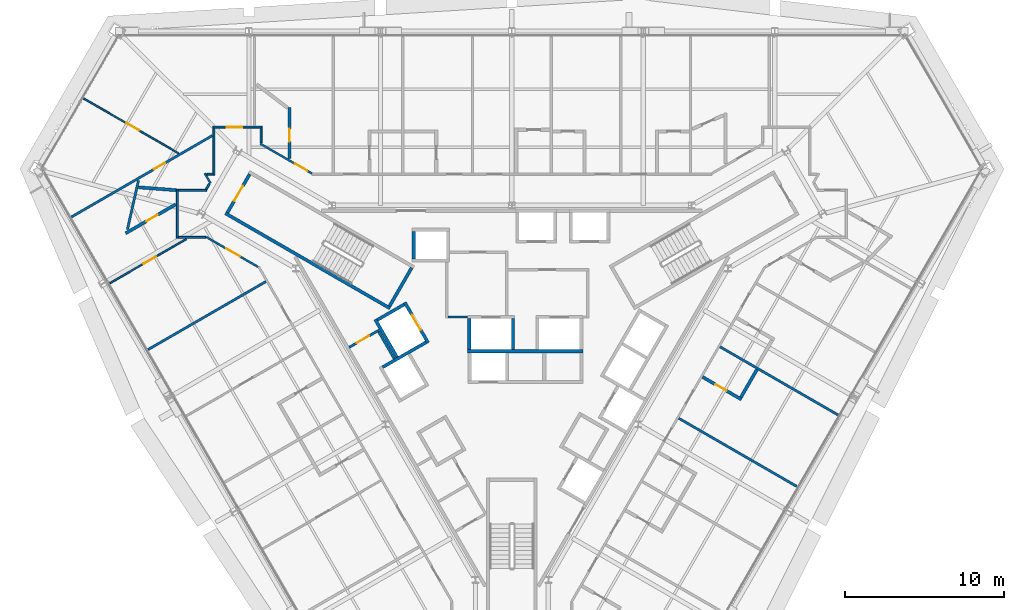
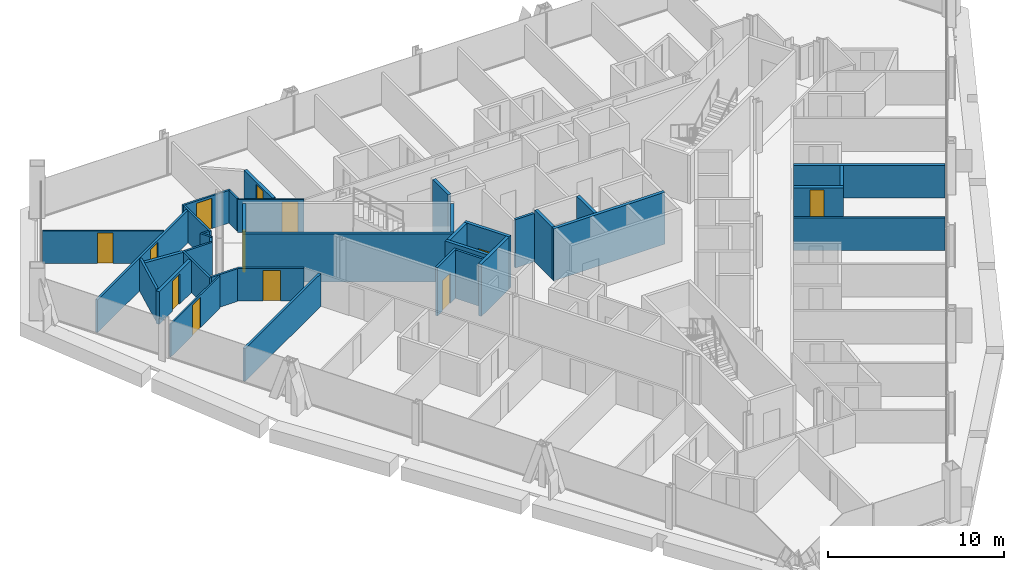
# One storey, part 12 of 17: 37 walls, 12 doors, 12 openings.
"""IFC4 building model written with IfcOpenShell, lengths in metres."""

from ifc_helpers import new_model, si_unit, direction, frame, frame_2d, origin, place, context, subcontext, project, spatial, rectangle, extrude, material, layer, layer_set, type_object, element, fill, save


model = new_model("IFC4")

# Units and contexts
model_context = context("Model", 3, precision=1e-05, world=origin(), true_north=direction((0.0, 1.0)))
body_context = subcontext(model_context, "Body", "Model", "MODEL_VIEW")
ifc_project = project(units=[si_unit("LENGTHUNIT", "METRE"), si_unit("AREAUNIT", "SQUARE_METRE"), si_unit("VOLUMEUNIT", "CUBIC_METRE"), si_unit("PLANEANGLEUNIT", "RADIAN"), si_unit("MASSUNIT", "GRAM", prefix="KILO")], contexts=[model_context])

# Site, building, storey
site_placement = place(None, origin())
site = spatial("IfcSite", under=ifc_project, at=site_placement, CompositionType="ELEMENT")
building_placement = place(site_placement, origin())
building = spatial("IfcBuilding", under=site, at=building_placement, Name="Verrane Prism Tower", CompositionType="ELEMENT")
storey_placement = place(building_placement, frame((0.0, 0.0, 139.60009765625)))
storey = spatial("IfcBuildingStorey", under=building, at=storey_placement, Name="L34", CompositionType="ELEMENT", Elevation=139.60009765625)

# Wall, opening, door
ifc_material_1 = material(Name="Concrete C40/50", Category="concrete")
ifc_layer_1 = layer(ifc_material_1, 0.199951171875)
ifc_layer_set_1 = layer_set([ifc_layer_1], Name="CW-200 stair core wall concrete C40/50 3 h")
wall_type_1 = type_object("IfcWallType", Name="CW-200 stair core wall concrete C40/50 3 h", PredefinedType="PARTITIONING", material=ifc_layer_set_1)
wall_1_placement = place(storey_placement, frame((-16.533935546875, 11.162353515625, 0.0), z_axis=(0.0, 0.0, 1.0), x_axis=(-0.49998411664, -0.866034573852, 0.0)))
wall_1 = element("IfcWall", 1, at=wall_1_placement, inside=storey, type_object=wall_type_1, Name="Stair 2 enclosure wall", PredefinedType="PARTITIONING", context=body_context, shape_type="SweptSolid", body=[
    extrude(rectangle(XDim=2.7998046875, YDim=0.199951171875, at=frame_2d((1.39990234375, 0.0))), origin(), (0.0, 0.0, 1.0), 3.349853515625),
])
opening_1_placement = place(wall_1_placement, frame((0.849853515625, 0.0, 0.0)))
opening_1 = element("IfcOpeningElement", 2, at=opening_1_placement, cuts=wall_1, Name="Opening D32501", PredefinedType="OPENING", context=body_context, shape_type="SweptSolid", body=[
    extrude(rectangle(XDim=1.10009765625, YDim=2.10009765625, at=frame_2d((0.550048828125, 1.050048828125))), frame((0.0, 0.10986328125, 0.0), z_axis=(0.0, -1.0, 0.0), x_axis=(1.0, 0.0, 0.0)), (0.0, 0.0, 1.0), 0.219970703125),
])
ifc_material_2 = material(Name="Timber veneered door leaf", Category="wood")
door_type_1 = type_object("IfcDoorType", Name="DR-1100x2100 FD90 single leaf stair", OperationType="NOTDEFINED", PredefinedType="DOOR", material=ifc_material_2)
door_1_placement = place(opening_1_placement, origin())
door_1 = element("IfcDoor", 3, at=door_1_placement, inside=storey, type_object=door_type_1, Name="Stair 2 door", OperationType="SINGLE_SWING_RIGHT", OverallHeight=2.10009765625, OverallWidth=1.10009765625, PredefinedType="DOOR", context=body_context, shape_type="SweptSolid", body=[
    extrude(rectangle(XDim=1.10009765625, YDim=2.10009765625, at=frame_2d((0.550048828125, 1.050048828125))), frame((0.0, 0.02490234375, 0.0), z_axis=(0.0, -1.0, 0.0), x_axis=(1.0, 0.0, 0.0)), (0.0, 0.0, 1.0), 0.050048828125),
])
fill(opening_1, door_1)

# Walls
wall_2_placement = place(storey_placement, frame((-7.67822265625, 2.700927734375, 0.0), z_axis=(0.0, 0.0, 1.0), x_axis=(-0.866026010844, 0.49999894854, 0.0)))
element("IfcWall", 4, at=wall_2_placement, inside=storey, type_object=wall_type_1, Name="Stair 2 enclosure wall", PredefinedType="PARTITIONING", context=body_context, shape_type="SweptSolid", body=[
    extrude(rectangle(XDim=12.0, YDim=0.199951171875, at=frame_2d((6.0, 0.0))), origin(), (0.0, 0.0, 1.0), 3.349853515625),
])
wall_3_placement = place(storey_placement, frame((-6.314697265625, 5.262451171875, 0.0), z_axis=(0.0, 0.0, 1.0), x_axis=(-0.500049511043, -0.865996816683, 0.0)))
element("IfcWall", 5, at=wall_3_placement, inside=storey, type_object=wall_type_1, Name="Stair 2 enclosure wall", PredefinedType="PARTITIONING", context=body_context, shape_type="SweptSolid", body=[
    extrude(rectangle(XDim=2.800048828125, YDim=0.199951171875, at=frame_2d((1.39990234375, 0.0))), origin(), (0.0, 0.0, 1.0), 3.349853515625),
])
ifc_material_3 = material(Name="Gypsum board shaft wall assembly", Category="other")
ifc_layer_2 = layer(ifc_material_3, 0.199951171875)
ifc_layer_set_2 = layer_set([ifc_layer_2], Name="HW-200 lift shaft wall 2 h")
wall_type_2 = type_object("IfcWallType", Name="HW-200 lift shaft wall 2 h", PredefinedType="PARTITIONING", material=ifc_layer_set_2)
wall_4_placement = place(storey_placement, frame((-2.784912109375, 0.0, 0.0), z_axis=(0.0, 0.0, 1.0), x_axis=(1.0, 0.0, 0.0)))
element("IfcWall", 6, at=wall_4_placement, inside=storey, type_object=wall_type_2, Name="Lift shaft wall", PredefinedType="PARTITIONING", context=body_context, shape_type="SweptSolid", body=[
    extrude(rectangle(XDim=7.280029296875, YDim=0.199951171875, at=frame_2d((3.64013671875, 0.0))), origin(), (0.0, 0.0, 1.0), 3.599853515625),
])
wall_5_placement = place(storey_placement, frame((-8.14453125, -1.012939453125, 0.0), z_axis=(0.0, 0.0, 1.0), x_axis=(0.866016494683, 0.500015430699, 0.0)))
element("IfcWall", 7, at=wall_5_placement, inside=storey, type_object=wall_type_2, Name="Lift shaft wall", PredefinedType="PARTITIONING", context=body_context, shape_type="SweptSolid", body=[
    extrude(rectangle(XDim=3.14990234375, YDim=0.199951171875, at=frame_2d((1.574951171875, 0.0))), origin(), (0.0, 0.0, 1.0), 3.599853515625),
])
for number, where, z_axis, x_axis, name in (
    (8, (-8.48046875, 1.968505859375, 0.0), (0.0, 0.0, 1.0), (0.866000020948, 0.500043961785, 0.0), "Lift shaft wall"),
    (9, (0.06494140625, 0.10009765625, 0.0), (0.0, 0.0, 1.0), (0.0, 1.0, 0.0), "Lift shaft wall"),
    (10, (-2.68505859375, 0.10009765625, 0.0), (0.0, 0.0, 1.0), (0.0, 1.0, 0.0), "Lift shaft wall"),
):
    element("IfcWall", number, at=place(storey_placement, frame(where, z_axis=z_axis, x_axis=x_axis)), inside=storey, type_object=wall_type_2, Name=name, PredefinedType="PARTITIONING", context=body_context, shape_type="SweptSolid", body=[
        extrude(rectangle(XDim=1.949951171875, YDim=0.199951171875, at=frame_2d((0.97509765625, 0.0))), origin(), (0.0, 0.0, 1.0), 3.599853515625),
    ])
wall_6_placement = place(storey_placement, frame((-6.18505859375, 5.81005859375, 0.0), z_axis=(0.0, 0.0, 1.0), x_axis=(0.0, 1.0, 0.0)))
element("IfcWall", 11, at=wall_6_placement, inside=storey, type_object=wall_type_2, Name="Lift shaft wall", PredefinedType="PARTITIONING", context=body_context, shape_type="SweptSolid", body=[
    extrude(rectangle(XDim=1.75, YDim=0.199951171875, at=frame_2d((0.875, 0.0))), origin(), (0.0, 0.0, 1.0), 3.599853515625),
])

# Wall, opening, door
wall_7_placement = place(storey_placement, frame((-5.280029296875, 0.525390625, 0.0), z_axis=(0.0, 0.0, 1.0), x_axis=(-0.500037662692, 0.866003658127, 0.0)))
wall_7 = element("IfcWall", 12, at=wall_7_placement, inside=storey, type_object=wall_type_2, Name="Lift shaft wall", PredefinedType="PARTITIONING", context=body_context, shape_type="SweptSolid", body=[
    extrude(rectangle(XDim=2.949951171875, YDim=0.199951171875, at=frame_2d((1.47509765625, 0.0))), origin(), (0.0, 0.0, 1.0), 3.599853515625),
])
opening_2_placement = place(wall_7_placement, frame((0.925048828125, 0.0, 0.0)))
opening_2 = element("IfcOpeningElement", 13, at=opening_2_placement, cuts=wall_7, Name="Opening D32510", PredefinedType="OPENING", context=body_context, shape_type="SweptSolid", body=[
    extrude(rectangle(XDim=1.10009765625, YDim=2.10009765625, at=frame_2d((0.550048828125, 1.050048828125))), frame((0.0, 0.10986328125, 0.0), z_axis=(0.0, -1.0, 0.0), x_axis=(1.0, 0.0, 0.0)), (0.0, 0.0, 1.0), 0.219970703125),
])
ifc_material_4 = material(Name="Stainless steel sliding landing door", Category="steel")
door_type_2 = type_object("IfcDoorType", Name="LD-1100x2100 lift landing door FD90 sliding", OperationType="NOTDEFINED", PredefinedType="DOOR", material=ifc_material_4)
door_2_placement = place(opening_2_placement, origin())
door_2 = element("IfcDoor", 14, at=door_2_placement, inside=storey, type_object=door_type_2, Name="Service lift 1 landing door", OperationType="SLIDING_TO_LEFT", OverallHeight=2.10009765625, OverallWidth=1.10009765625, PredefinedType="DOOR", context=body_context, shape_type="SweptSolid", body=[
    extrude(rectangle(XDim=1.10009765625, YDim=2.10009765625, at=frame_2d((0.550048828125, 1.050048828125))), frame((0.0, 0.02490234375, 0.0), z_axis=(0.0, -1.0, 0.0), x_axis=(1.0, 0.0, 0.0)), (0.0, 0.0, 1.0), 0.050048828125),
])
fill(opening_2, door_2)

# Walls
wall_8_placement = place(storey_placement, frame((-7.241943359375, -0.37646484375, 0.0), z_axis=(0.0, 0.0, 1.0), x_axis=(-0.499996545922, 0.866027397988, 0.0)))
element("IfcWall", 15, at=wall_8_placement, inside=storey, type_object=wall_type_2, Name="Lift shaft wall", PredefinedType="PARTITIONING", context=body_context, shape_type="SweptSolid", body=[
    extrude(rectangle(XDim=2.75, YDim=0.199951171875, at=frame_2d((1.375, 0.0))), origin(), (0.0, 0.0, 1.0), 3.599853515625),
])
ifc_material_5 = material(Name="Gypsum board partition", Category="other")
ifc_layer_3 = layer(ifc_material_5, 0.14990234375)
ifc_layer_set_3 = layer_set([ifc_layer_3], Name="LF-150 firefighting lobby wall 1 h")
wall_type_3 = type_object("IfcWallType", Name="LF-150 firefighting lobby wall 1 h", PredefinedType="PARTITIONING", material=ifc_layer_set_3)
wall_9_placement = place(storey_placement, frame((-4.02490234375, 2.159912109375, 0.0), z_axis=(0.0, 0.0, 1.0), x_axis=(1.0, 0.0, 0.0)))
element("IfcWall", 16, at=wall_9_placement, inside=storey, type_object=wall_type_3, Name="Firefighting lobby wall LF1-010", PredefinedType="PARTITIONING", context=body_context, shape_type="SweptSolid", body=[
    extrude(rectangle(XDim=1.23779296875, YDim=0.14990234375, at=frame_2d((0.618896484375, 0.0))), origin(), (0.0, 0.0, 1.0), 3.349853515625),
])

# Wall, opening, door
ifc_material_6 = material(Name="Gypsum board partition", Category="other")
ifc_layer_4 = layer(ifc_material_6, 0.10009765625)
ifc_layer_set_4 = layer_set([ifc_layer_4], Name="PW-100 room partition")
wall_type_4 = type_object("IfcWallType", Name="PW-100 room partition", PredefinedType="PARTITIONING", material=ifc_layer_set_4)
wall_10_placement = place(storey_placement, frame((-21.01708984375, 12.480712890625, 0.0), z_axis=(0.0, 0.0, 1.0), x_axis=(-0.866004044806, 0.500036993012, 0.0)))
wall_10 = element("IfcWall", 17, at=wall_10_placement, inside=storey, type_object=wall_type_4, Name="Room partition 002", PredefinedType="PARTITIONING", context=body_context, shape_type="SweptSolid", body=[
    extrude(rectangle(XDim=6.89794921875, YDim=0.10009765625, at=frame_2d((3.448974609375, 0.0))), origin(), (0.0, 0.0, 1.0), 2.261962890625),
])
opening_3_placement = place(wall_10_placement, frame((2.89404296875, 0.0, 0.0)))
opening_3 = element("IfcOpeningElement", 18, at=opening_3_placement, cuts=wall_10, Name="Opening D32032", PredefinedType="OPENING", context=body_context, shape_type="SweptSolid", body=[
    extrude(rectangle(XDim=0.89990234375, YDim=2.10009765625, at=frame_2d((0.449951171875, 1.050048828125))), frame((0.0, 0.06005859375, 0.0), z_axis=(0.0, -1.0, 0.0), x_axis=(1.0, 0.0, 0.0)), (0.0, 0.0, 1.0), 0.1201171875),
])
ifc_material_7 = material(Name="Timber veneered door leaf", Category="wood")
door_type_3 = type_object("IfcDoorType", Name="DR-900x2100 single leaf inner", OperationType="NOTDEFINED", PredefinedType="DOOR", material=ifc_material_7)
door_3_placement = place(opening_3_placement, origin())
door_3 = element("IfcDoor", 19, at=door_3_placement, inside=storey, type_object=door_type_3, Name="Suite Living Room door", OperationType="SINGLE_SWING_LEFT", OverallHeight=2.10009765625, OverallWidth=0.89990234375, PredefinedType="DOOR", context=body_context, shape_type="SweptSolid", body=[
    extrude(rectangle(XDim=0.89990234375, YDim=2.10009765625, at=frame_2d((0.449951171875, 1.050048828125))), frame((0.0, 0.02490234375, 0.0), z_axis=(0.0, -1.0, 0.0), x_axis=(1.0, 0.0, 0.0)), (0.0, 0.0, 1.0), 0.050048828125),
])
fill(opening_3, door_3)

wall_11_placement = place(storey_placement, frame((-25.354248046875, 4.28466796875, 0.0), z_axis=(0.0, 0.0, 1.0), x_axis=(0.866012427413, 0.500022475061, 0.0)))
wall_11 = element("IfcWall", 20, at=wall_11_placement, inside=storey, type_object=wall_type_4, Name="Room partition 003", PredefinedType="PARTITIONING", context=body_context, shape_type="SweptSolid", body=[
    extrude(rectangle(XDim=5.564697265625, YDim=0.10009765625, at=frame_2d((2.7822265625, 0.0))), origin(), (0.0, 0.0, 1.0), 2.261962890625),
])
opening_4_placement = place(wall_11_placement, frame((2.45458984375, 0.0, 0.0)))
opening_4 = element("IfcOpeningElement", 21, at=opening_4_placement, cuts=wall_11, Name="Opening D32035", PredefinedType="OPENING", context=body_context, shape_type="SweptSolid", body=[
    extrude(rectangle(XDim=0.89990234375, YDim=2.10009765625, at=frame_2d((0.449951171875, 1.050048828125))), frame((0.0, 0.06005859375, 0.0), z_axis=(0.0, -1.0, 0.0), x_axis=(1.0, 0.0, 0.0)), (0.0, 0.0, 1.0), 0.1201171875),
])
door_4_placement = place(opening_4_placement, origin())
door_4 = element("IfcDoor", 22, at=door_4_placement, inside=storey, type_object=door_type_3, Name="Suite Living Room door", OperationType="SINGLE_SWING_LEFT", OverallHeight=2.10009765625, OverallWidth=0.89990234375, PredefinedType="DOOR", context=body_context, shape_type="SweptSolid", body=[
    extrude(rectangle(XDim=0.89990234375, YDim=2.10009765625, at=frame_2d((0.449951171875, 1.050048828125))), frame((0.0, 0.02490234375, 0.0), z_axis=(0.0, -1.0, 0.0), x_axis=(1.0, 0.0, 0.0)), (0.0, 0.0, 1.0), 0.050048828125),
])
fill(opening_4, door_4)

# Walls
ifc_material_8 = material(Name="Gypsum board partition", Category="other")
ifc_layer_5 = layer(ifc_material_8, 0.125)
ifc_layer_set_5 = layer_set([ifc_layer_5], Name="PW-125 corridor wall 1 h")
wall_type_5 = type_object("IfcWallType", Name="PW-125 corridor wall 1 h", PredefinedType="PARTITIONING", material=ifc_layer_set_5)
wall_12_placement = place(storey_placement, frame((-21.0869140625, 7.110595703125, 0.0), z_axis=(0.0, 0.0, 1.0), x_axis=(0.0, 1.0, 0.0)))
element("IfcWall", 23, at=wall_12_placement, inside=storey, type_object=wall_type_5, Name="Corridor wall 008", PredefinedType="PARTITIONING", context=body_context, shape_type="SweptSolid", body=[
    extrude(rectangle(XDim=3.098876953125, YDim=0.125, at=frame_2d((1.54931640625, 0.0))), origin(), (0.0, 0.0, 1.0), 2.261962890625),
])
wall_13_placement = place(storey_placement, frame((-21.02197265625, 7.173095703125, 0.0), z_axis=(0.0, 0.0, 1.0), x_axis=(1.0, 0.0, 0.0)))
element("IfcWall", 24, at=wall_13_placement, inside=storey, type_object=wall_type_5, Name="Corridor wall 009", PredefinedType="PARTITIONING", context=body_context, shape_type="SweptSolid", body=[
    extrude(rectangle(XDim=1.712890625, YDim=0.125, at=frame_2d((0.8564453125, 0.0))), origin(), (0.0, 0.0, 1.0), 2.261962890625),
])
wall_14_placement = place(storey_placement, frame((-21.02197265625, 10.14697265625, 0.0), z_axis=(0.0, 0.0, 1.0), x_axis=(1.0, 0.0, 0.0)))
element("IfcWall", 25, at=wall_14_placement, inside=storey, type_object=wall_type_5, Name="Corridor wall 010", PredefinedType="PARTITIONING", context=body_context, shape_type="SweptSolid", body=[
    extrude(rectangle(XDim=1.7705078125, YDim=0.125, at=frame_2d((0.88525390625, 0.0))), origin(), (0.0, 0.0, 1.0), 2.261962890625),
])
wall_15_placement = place(storey_placement, frame((-19.3623046875, 11.215087890625, 0.0), z_axis=(0.0, 0.0, 1.0), x_axis=(0.499712769023, -0.866191173169, 0.0)))
element("IfcWall", 26, at=wall_15_placement, inside=storey, type_object=wall_type_5, Name="Corridor wall 012", PredefinedType="PARTITIONING", context=body_context, shape_type="SweptSolid", body=[
    extrude(rectangle(XDim=0.7275390625, YDim=0.125, at=frame_2d((0.36376953125, 0.0))), origin(), (0.0, 0.0, 1.0), 2.261962890625),
])
wall_16_placement = place(storey_placement, frame((-19.22607421875, 11.160888671875, 0.0), z_axis=(0.0, 0.0, 1.0), x_axis=(1.0, 0.0, 0.0)))
element("IfcWall", 27, at=wall_16_placement, inside=storey, type_object=wall_type_5, Name="Corridor wall 013", PredefinedType="PARTITIONING", context=body_context, shape_type="SweptSolid", body=[
    extrude(rectangle(XDim=0.3740234375, YDim=0.125, at=frame_2d((0.18701171875, 0.0))), origin(), (0.0, 0.0, 1.0), 2.261962890625),
])
wall_17_placement = place(storey_placement, frame((-19.271484375, 10.220703125, 0.0), z_axis=(0.0, 0.0, 1.0), x_axis=(0.499899443193, 0.866083452501, 0.0)))
element("IfcWall", 28, at=wall_17_placement, inside=storey, type_object=wall_type_5, Name="Corridor wall 014", PredefinedType="PARTITIONING", context=body_context, shape_type="SweptSolid", body=[
    extrude(rectangle(XDim=0.39794921875, YDim=0.125, at=frame_2d((0.198974609375, 0.0))), origin(), (0.0, 0.0, 1.0), 2.261962890625),
])

# Wall, opening, door
wall_18_placement = place(storey_placement, frame((-16.004638671875, 5.314453125, 0.0), z_axis=(0.0, 0.0, 1.0), x_axis=(-0.866028547684, 0.499994554566, 0.0)))
wall_18 = element("IfcWall", 29, at=wall_18_placement, inside=storey, type_object=wall_type_5, Name="Corridor wall 015", PredefinedType="PARTITIONING", context=body_context, shape_type="SweptSolid", body=[
    extrude(rectangle(XDim=3.77978515625, YDim=0.125, at=frame_2d((1.889892578125, 0.0))), origin(), (0.0, 0.0, 1.0), 2.261962890625),
])
opening_5_placement = place(wall_18_placement, frame((1.3173828125, 0.0, 0.0)))
opening_5 = element("IfcOpeningElement", 30, at=opening_5_placement, cuts=wall_18, Name="Opening D32034", PredefinedType="OPENING", context=body_context, shape_type="SweptSolid", body=[
    extrude(rectangle(XDim=1.0, YDim=2.10009765625, at=frame_2d((0.5, 1.050048828125))), frame((0.0, 0.072509765625, 0.0), z_axis=(0.0, -1.0, 0.0), x_axis=(1.0, 0.0, 0.0)), (0.0, 0.0, 1.0), 0.14501953125),
])
ifc_material_9 = material(Name="Timber veneered door leaf", Category="wood")
door_type_4 = type_object("IfcDoorType", Name="DR-1000x2100 FD20 single leaf unit", OperationType="NOTDEFINED", PredefinedType="DOOR", material=ifc_material_9)
door_5_placement = place(opening_5_placement, origin())
door_5 = element("IfcDoor", 31, at=door_5_placement, inside=storey, type_object=door_type_4, Name="Suite Living Room door", OperationType="SINGLE_SWING_LEFT", OverallHeight=2.10009765625, OverallWidth=1.0, PredefinedType="DOOR", context=body_context, shape_type="SweptSolid", body=[
    extrude(rectangle(XDim=1.0, YDim=2.10009765625, at=frame_2d((0.5, 1.050048828125))), frame((0.0, 0.02490234375, 0.0), z_axis=(0.0, -1.0, 0.0), x_axis=(1.0, 0.0, 0.0)), (0.0, 0.0, 1.0), 0.050048828125),
])
fill(opening_5, door_5)

# Wall
wall_19_placement = place(storey_placement, frame((-18.787109375, 11.098388671875, 0.0), z_axis=(0.0, 0.0, 1.0), x_axis=(0.0, 1.0, 0.0)))
element("IfcWall", 32, at=wall_19_placement, inside=storey, type_object=wall_type_5, Name="Corridor wall 016", PredefinedType="PARTITIONING", context=body_context, shape_type="SweptSolid", body=[
    extrude(rectangle(XDim=2.963623046875, YDim=0.125, at=frame_2d((1.48193359375, 0.0))), origin(), (0.0, 0.0, 1.0), 2.261962890625),
])

# Wall, opening, door
wall_20_placement = place(storey_placement, frame((-18.849609375, 14.126953125, 0.0), z_axis=(0.0, 0.0, 1.0), x_axis=(1.0, 0.0, 0.0)))
wall_20 = element("IfcWall", 33, at=wall_20_placement, inside=storey, type_object=wall_type_5, Name="Corridor wall 017", PredefinedType="PARTITIONING", context=body_context, shape_type="SweptSolid", body=[
    extrude(rectangle(XDim=3.09912109375, YDim=0.125, at=frame_2d((1.549560546875, 0.0))), origin(), (0.0, 0.0, 1.0), 2.261962890625),
])
opening_6_placement = place(wall_20_placement, frame((0.862548828125, 0.0, 0.0)))
opening_6 = element("IfcOpeningElement", 34, at=opening_6_placement, cuts=wall_20, Name="Opening D32031", PredefinedType="OPENING", context=body_context, shape_type="SweptSolid", body=[
    extrude(rectangle(XDim=1.0, YDim=2.10009765625, at=frame_2d((0.5, 1.050048828125))), frame((0.0, 0.072509765625, 0.0), z_axis=(0.0, -1.0, 0.0), x_axis=(1.0, 0.0, 0.0)), (0.0, 0.0, 1.0), 0.14501953125),
])
door_6_placement = place(opening_6_placement, origin())
door_6 = element("IfcDoor", 35, at=door_6_placement, inside=storey, type_object=door_type_4, Name="Suite Living Room door", OperationType="SINGLE_SWING_LEFT", OverallHeight=2.10009765625, OverallWidth=1.0, PredefinedType="DOOR", context=body_context, shape_type="SweptSolid", body=[
    extrude(rectangle(XDim=1.0, YDim=2.10009765625, at=frame_2d((0.5, 1.050048828125))), frame((0.0, 0.02490234375, 0.0), z_axis=(0.0, -1.0, 0.0), x_axis=(1.0, 0.0, 0.0)), (0.0, 0.0, 1.0), 0.050048828125),
])
fill(opening_6, door_6)

# Wall
wall_21_placement = place(storey_placement, frame((-15.81298828125, 13.139892578125, 0.0), z_axis=(0.0, 0.0, 1.0), x_axis=(0.0, 1.0, 0.0)))
element("IfcWall", 36, at=wall_21_placement, inside=storey, type_object=wall_type_5, Name="Corridor wall 022", PredefinedType="PARTITIONING", context=body_context, shape_type="SweptSolid", body=[
    extrude(rectangle(XDim=0.922119140625, YDim=0.125, at=frame_2d((0.4609375, 0.0))), origin(), (0.0, 0.0, 1.0), 2.261962890625),
])

# Wall, opening, door
wall_22_placement = place(storey_placement, frame((-15.8671875, 13.086181640625, 0.0), z_axis=(0.0, 0.0, 1.0), x_axis=(0.866113281362, -0.499847760672, 0.0)))
wall_22 = element("IfcWall", 37, at=wall_22_placement, inside=storey, type_object=wall_type_5, Name="Corridor wall 023", PredefinedType="PARTITIONING", context=body_context, shape_type="SweptSolid", body=[
    extrude(rectangle(XDim=3.766845703125, YDim=0.125, at=frame_2d((1.88330078125, 0.0))), origin(), (0.0, 0.0, 1.0), 2.261962890625),
])
opening_7_placement = place(wall_22_placement, frame((2.525390625, 0.0, 0.0)))
opening_7 = element("IfcOpeningElement", 38, at=opening_7_placement, cuts=wall_22, Name="Opening D32029", PredefinedType="OPENING", context=body_context, shape_type="SweptSolid", body=[
    extrude(rectangle(XDim=0.89990234375, YDim=2.10009765625, at=frame_2d((0.449951171875, 1.050048828125))), frame((0.0, 0.072509765625, 0.0), z_axis=(0.0, -1.0, 0.0), x_axis=(1.0, 0.0, 0.0)), (0.0, 0.0, 1.0), 0.14501953125),
])
ifc_material_10 = material(Name="Timber veneered door leaf", Category="wood")
door_type_5 = type_object("IfcDoorType", Name="DR-900x2100 FD20 single leaf unit", OperationType="NOTDEFINED", PredefinedType="DOOR", material=ifc_material_10)
door_7_placement = place(opening_7_placement, origin())
door_7 = element("IfcDoor", 39, at=door_7_placement, inside=storey, type_object=door_type_5, Name="Guest Room door", OperationType="SINGLE_SWING_LEFT", OverallHeight=2.10009765625, OverallWidth=0.89990234375, PredefinedType="DOOR", context=body_context, shape_type="SweptSolid", body=[
    extrude(rectangle(XDim=0.89990234375, YDim=2.10009765625, at=frame_2d((0.449951171875, 1.050048828125))), frame((0.0, 0.02490234375, 0.0), z_axis=(0.0, -1.0, 0.0), x_axis=(1.0, 0.0, 0.0)), (0.0, 0.0, 1.0), 0.050048828125),
])
fill(opening_7, door_7)

ifc_material_11 = material(Name="Gypsum board partition", Category="other")
ifc_layer_6 = layer(ifc_material_11, 0.14990234375)
ifc_layer_set_6 = layer_set([ifc_layer_6], Name="PW-150 demising wall 1 h")
wall_type_6 = type_object("IfcWallType", Name="PW-150 demising wall 1 h", PredefinedType="PARTITIONING", material=ifc_layer_set_6)
wall_23_placement = place(storey_placement, frame((-18.886962890625, 13.59423828125, 0.0), z_axis=(0.0, 0.0, 1.0), x_axis=(-0.866056355607, -0.499946386039, 0.0)))
wall_23 = element("IfcWall", 40, at=wall_23_placement, inside=storey, type_object=wall_type_6, Name="Demising wall 001", PredefinedType="PARTITIONING", context=body_context, shape_type="SweptSolid", body=[
    extrude(rectangle(XDim=10.255615234375, YDim=0.14990234375, at=frame_2d((5.1279296875, 0.0))), origin(), (0.0, 0.0, 1.0), 2.261962890625),
])
opening_8_placement = place(wall_23_placement, frame((3.4345703125, 0.0, 0.0)))
opening_8 = element("IfcOpeningElement", 41, at=opening_8_placement, cuts=wall_23, Name="Opening D32033", PredefinedType="OPENING", context=body_context, shape_type="SweptSolid", body=[
    extrude(rectangle(XDim=0.800048828125, YDim=2.10009765625, at=frame_2d((0.39990234375, 1.050048828125))), frame((0.0, 0.0849609375, 0.0), z_axis=(0.0, -1.0, 0.0), x_axis=(1.0, 0.0, 0.0)), (0.0, 0.0, 1.0), 0.169921875),
])
ifc_material_12 = material(Name="Timber veneered door leaf", Category="wood")
door_type_6 = type_object("IfcDoorType", Name="DR-800x2100 single leaf bath", OperationType="NOTDEFINED", PredefinedType="DOOR", material=ifc_material_12)
door_8_placement = place(opening_8_placement, origin())
door_8 = element("IfcDoor", 42, at=door_8_placement, inside=storey, type_object=door_type_6, Name="En-Suite door", OperationType="SINGLE_SWING_RIGHT", OverallHeight=2.10009765625, OverallWidth=0.800048828125, PredefinedType="DOOR", context=body_context, shape_type="SweptSolid", body=[
    extrude(rectangle(XDim=0.800048828125, YDim=2.10009765625, at=frame_2d((0.39990234375, 1.050048828125))), frame((0.0, 0.02490234375, 0.0), z_axis=(0.0, -1.0, 0.0), x_axis=(1.0, 0.0, 0.0)), (0.0, 0.0, 1.0), 0.050048828125),
])
fill(opening_8, door_8)

# Walls
wall_24_placement = place(storey_placement, frame((-24.241943359375, 7.675048828125, 0.0), z_axis=(0.0, 0.0, 1.0), x_axis=(0.220410098175, 0.97540729371, 0.0)))
element("IfcWall", 43, at=wall_24_placement, inside=storey, type_object=wall_type_6, Name="Demising wall 004", PredefinedType="PARTITIONING", context=body_context, shape_type="SweptSolid", body=[
    extrude(rectangle(XDim=3.16357421875, YDim=0.14990234375, at=frame_2d((1.581787109375, 0.0))), origin(), (0.0, 0.0, 1.0), 2.261962890625),
])
wall_25_placement = place(storey_placement, frame((-22.939453125, 0.102294921875, 0.0), z_axis=(0.0, 0.0, 1.0), x_axis=(0.866041729639, 0.499971721724, 0.0)))
element("IfcWall", 44, at=wall_25_placement, inside=storey, type_object=wall_type_6, Name="Demising wall 007", PredefinedType="PARTITIONING", context=body_context, shape_type="SweptSolid", body=[
    extrude(rectangle(XDim=8.59130859375, YDim=0.14990234375, at=frame_2d((4.295654296875, 0.0))), origin(), (0.0, 0.0, 1.0), 2.261962890625),
])
wall_26_placement = place(storey_placement, frame((10.52001953125, -4.226318359375, 0.0), z_axis=(0.0, 0.0, 1.0), x_axis=(0.866002910178, -0.500038958046, 0.0)))
element("IfcWall", 45, at=wall_26_placement, inside=storey, type_object=wall_type_6, Name="Demising wall 069", PredefinedType="PARTITIONING", context=body_context, shape_type="SweptSolid", body=[
    extrude(rectangle(XDim=8.591064453125, YDim=0.14990234375, at=frame_2d((4.29541015625, 0.0))), origin(), (0.0, 0.0, 1.0), 2.261962890625),
])
wall_27_placement = place(storey_placement, frame((13.1220703125, 0.28076171875, 0.0), z_axis=(0.0, 0.0, 1.0), x_axis=(0.866029425019, -0.499993034952, 0.0)))
element("IfcWall", 46, at=wall_27_placement, inside=storey, type_object=wall_type_6, Name="Demising wall 075", PredefinedType="PARTITIONING", context=body_context, shape_type="SweptSolid", body=[
    extrude(rectangle(XDim=8.59130859375, YDim=0.14990234375, at=frame_2d((4.295654296875, 0.0))), origin(), (0.0, 0.0, 1.0), 2.261962890625),
])

# Wall, opening, door
ifc_material_13 = material(Name="Gypsum board partition", Category="other")
ifc_layer_7 = layer(ifc_material_13, 0.199951171875)
ifc_layer_set_7 = layer_set([ifc_layer_7], Name="PW-200 plumbing wall")
wall_type_7 = type_object("IfcWallType", Name="PW-200 plumbing wall", PredefinedType="PARTITIONING", material=ifc_layer_set_7)
wall_28_placement = place(storey_placement, frame((-24.35205078125, 7.4375, 0.0), z_axis=(0.0, 0.0, 1.0), x_axis=(0.866092892036, 0.499883088697, 0.0)))
wall_28 = element("IfcWall", 47, at=wall_28_placement, inside=storey, type_object=wall_type_7, Name="Plumbing wall 005", PredefinedType="PARTITIONING", context=body_context, shape_type="SweptSolid", body=[
    extrude(rectangle(XDim=3.639892578125, YDim=0.199951171875, at=frame_2d((1.81982421875, 0.0))), origin(), (0.0, 0.0, 1.0), 2.261962890625),
])
opening_9_placement = place(wall_28_placement, frame((1.52490234375, 0.0, 0.0)))
opening_9 = element("IfcOpeningElement", 48, at=opening_9_placement, cuts=wall_28, Name="Opening D32036", PredefinedType="OPENING", context=body_context, shape_type="SweptSolid", body=[
    extrude(rectangle(XDim=0.800048828125, YDim=2.10009765625, at=frame_2d((0.39990234375, 1.050048828125))), frame((0.0, 0.10986328125, 0.0), z_axis=(0.0, -1.0, 0.0), x_axis=(1.0, 0.0, 0.0)), (0.0, 0.0, 1.0), 0.219970703125),
])
door_9_placement = place(opening_9_placement, origin())
door_9 = element("IfcDoor", 49, at=door_9_placement, inside=storey, type_object=door_type_6, Name="En-Suite door", OperationType="SINGLE_SWING_RIGHT", OverallHeight=2.10009765625, OverallWidth=0.800048828125, PredefinedType="DOOR", context=body_context, shape_type="SweptSolid", body=[
    extrude(rectangle(XDim=0.800048828125, YDim=2.10009765625, at=frame_2d((0.39990234375, 1.050048828125))), frame((0.0, 0.02490234375, 0.0), z_axis=(0.0, -1.0, 0.0), x_axis=(1.0, 0.0, 0.0)), (0.0, 0.0, 1.0), 0.050048828125),
])
fill(opening_9, door_9)

# Wall
wall_29_placement = place(storey_placement, frame((-23.549560546875, 10.333251953125, 0.0), z_axis=(0.0, 0.0, 1.0), x_axis=(0.997152307641, -0.075414026324, 0.0)))
element("IfcWall", 50, at=wall_29_placement, inside=storey, type_object=wall_type_7, Name="Plumbing wall 006", PredefinedType="PARTITIONING", context=body_context, shape_type="SweptSolid", body=[
    extrude(rectangle(XDim=2.402099609375, YDim=0.199951171875, at=frame_2d((1.201171875, 0.0))), origin(), (0.0, 0.0, 1.0), 2.261962890625),
])

# Wall, opening, door
wall_30_placement = place(storey_placement, frame((-14.02587890625, 12.15380859375, 0.0), z_axis=(0.0, 0.0, 1.0), x_axis=(0.0, 1.0, 0.0)))
wall_30 = element("IfcWall", 51, at=wall_30_placement, inside=storey, type_object=wall_type_7, Name="Plumbing wall 027", PredefinedType="PARTITIONING", context=body_context, shape_type="SweptSolid", body=[
    extrude(rectangle(XDim=3.203125, YDim=0.199951171875, at=frame_2d((1.6015625, 0.0))), origin(), (0.0, 0.0, 1.0), 2.261962890625),
])
opening_10_placement = place(wall_30_placement, frame((1.070068359375, 0.0, 0.0)))
opening_10 = element("IfcOpeningElement", 52, at=opening_10_placement, cuts=wall_30, Name="Opening D32030", PredefinedType="OPENING", context=body_context, shape_type="SweptSolid", body=[
    extrude(rectangle(XDim=0.800048828125, YDim=2.10009765625, at=frame_2d((0.39990234375, 1.050048828125))), frame((0.0, 0.10986328125, 0.0), z_axis=(0.0, -1.0, 0.0), x_axis=(1.0, 0.0, 0.0)), (0.0, 0.0, 1.0), 0.219970703125),
])
door_10_placement = place(opening_10_placement, origin())
door_10 = element("IfcDoor", 53, at=door_10_placement, inside=storey, type_object=door_type_6, Name="En-Suite door", OperationType="SINGLE_SWING_RIGHT", OverallHeight=2.10009765625, OverallWidth=0.800048828125, PredefinedType="DOOR", context=body_context, shape_type="SweptSolid", body=[
    extrude(rectangle(XDim=0.800048828125, YDim=2.10009765625, at=frame_2d((0.39990234375, 1.050048828125))), frame((0.0, 0.02490234375, 0.0), z_axis=(0.0, -1.0, 0.0), x_axis=(1.0, 0.0, 0.0)), (0.0, 0.0, 1.0), 0.050048828125),
])
fill(opening_10, door_10)

wall_31_placement = place(storey_placement, frame((12.022216796875, -1.624267578125, 0.0), z_axis=(0.0, 0.0, 1.0), x_axis=(0.866026538634, -0.499998034377, 0.0)))
wall_31 = element("IfcWall", 54, at=wall_31_placement, inside=storey, type_object=wall_type_7, Name="Plumbing wall 073", PredefinedType="PARTITIONING", context=body_context, shape_type="SweptSolid", body=[
    extrude(rectangle(XDim=2.83740234375, YDim=0.199951171875, at=frame_2d((1.418701171875, 0.0))), origin(), (0.0, 0.0, 1.0), 2.261962890625),
])
opening_11_placement = place(wall_31_placement, frame((0.9375, 0.0, 0.0)))
opening_11 = element("IfcOpeningElement", 55, at=opening_11_placement, cuts=wall_31, Name="Opening D32010", PredefinedType="OPENING", context=body_context, shape_type="SweptSolid", body=[
    extrude(rectangle(XDim=0.800048828125, YDim=2.10009765625, at=frame_2d((0.39990234375, 1.050048828125))), frame((0.0, 0.10986328125, 0.0), z_axis=(0.0, -1.0, 0.0), x_axis=(1.0, 0.0, 0.0)), (0.0, 0.0, 1.0), 0.219970703125),
])
door_11_placement = place(opening_11_placement, origin())
door_11 = element("IfcDoor", 56, at=door_11_placement, inside=storey, type_object=door_type_6, Name="En-Suite door", OperationType="SINGLE_SWING_RIGHT", OverallHeight=2.10009765625, OverallWidth=0.800048828125, PredefinedType="DOOR", context=body_context, shape_type="SweptSolid", body=[
    extrude(rectangle(XDim=0.800048828125, YDim=2.10009765625, at=frame_2d((0.39990234375, 1.050048828125))), frame((0.0, 0.02490234375, 0.0), z_axis=(0.0, -1.0, 0.0), x_axis=(1.0, 0.0, 0.0)), (0.0, 0.0, 1.0), 0.050048828125),
])
fill(opening_11, door_11)

# Wall
wall_32_placement = place(storey_placement, frame((14.443115234375, -2.906494140625, 0.0), z_axis=(0.0, 0.0, 1.0), x_axis=(0.500042536776, 0.866000843773, 0.0)))
element("IfcWall", 57, at=wall_32_placement, inside=storey, type_object=wall_type_7, Name="Plumbing wall 078", PredefinedType="PARTITIONING", context=body_context, shape_type="SweptSolid", body=[
    extrude(rectangle(XDim=2.024658203125, YDim=0.199951171875, at=frame_2d((1.01220703125, 0.0))), origin(), (0.0, 0.0, 1.0), 2.261962890625),
])

# Wall, opening, door
ifc_material_14 = material(Name="Gypsum board partition", Category="other")
ifc_layer_8 = layer(ifc_material_14, 0.14990234375)
ifc_layer_set_8 = layer_set([ifc_layer_8], Name="RS-150 riser enclosure wall 1 h")
wall_type_8 = type_object("IfcWallType", Name="RS-150 riser enclosure wall 1 h", PredefinedType="PARTITIONING", material=ifc_layer_set_8)
wall_33_placement = place(storey_placement, frame((-8.373046875, 1.33251953125, 0.0), z_axis=(0.0, 0.0, 1.0), x_axis=(-0.866009846372, -0.500026945261, 0.0)))
wall_33 = element("IfcWall", 58, at=wall_33_placement, inside=storey, type_object=wall_type_8, Name="Riser wall RS3-010", PredefinedType="PARTITIONING", context=body_context, shape_type="SweptSolid", body=[
    extrude(rectangle(XDim=2.1748046875, YDim=0.14990234375, at=frame_2d((1.08740234375, 0.0))), origin(), (0.0, 0.0, 1.0), 3.349853515625),
])
opening_12_placement = place(wall_33_placement, frame((0.724853515625, 0.0, 0.0)))
opening_12 = element("IfcOpeningElement", 59, at=opening_12_placement, cuts=wall_33, Name="Opening D32520", PredefinedType="OPENING", context=body_context, shape_type="SweptSolid", body=[
    extrude(rectangle(XDim=0.89990234375, YDim=2.10009765625, at=frame_2d((0.449951171875, 1.050048828125))), frame((0.0, 0.0849609375, 0.0), z_axis=(0.0, -1.0, 0.0), x_axis=(1.0, 0.0, 0.0)), (0.0, 0.0, 1.0), 0.169921875),
])
ifc_material_15 = material(Name="Timber veneered door leaf", Category="wood")
door_type_7 = type_object("IfcDoorType", Name="DR-900x2100 FD20 single leaf store", OperationType="NOTDEFINED", PredefinedType="DOOR", material=ifc_material_15)
door_12_placement = place(opening_12_placement, origin())
door_12 = element("IfcDoor", 60, at=door_12_placement, inside=storey, type_object=door_type_7, Name="Room door D32520", OperationType="SINGLE_SWING_RIGHT", OverallHeight=2.10009765625, OverallWidth=0.89990234375, PredefinedType="DOOR", context=body_context, shape_type="SweptSolid", body=[
    extrude(rectangle(XDim=0.89990234375, YDim=2.10009765625, at=frame_2d((0.449951171875, 1.050048828125))), frame((0.0, 0.02490234375, 0.0), z_axis=(0.0, -1.0, 0.0), x_axis=(1.0, 0.0, 0.0)), (0.0, 0.0, 1.0), 0.050048828125),
])
fill(opening_12, door_12)

# Wall
wall_34_placement = place(storey_placement, frame((-8.400390625, 1.22998046875, 0.0), z_axis=(0.0, 0.0, 1.0), x_axis=(0.499980071345, -0.866036909293, 0.0)))
element("IfcWall", 61, at=wall_34_placement, inside=storey, type_object=wall_type_8, Name="Riser wall RS3-012", PredefinedType="PARTITIONING", context=body_context, shape_type="SweptSolid", body=[
    extrude(rectangle(XDim=1.96875, YDim=0.14990234375, at=frame_2d((0.984375, 0.0))), origin(), (0.0, 0.0, 1.0), 3.349853515625),
])

save(model, "model.ifc")
